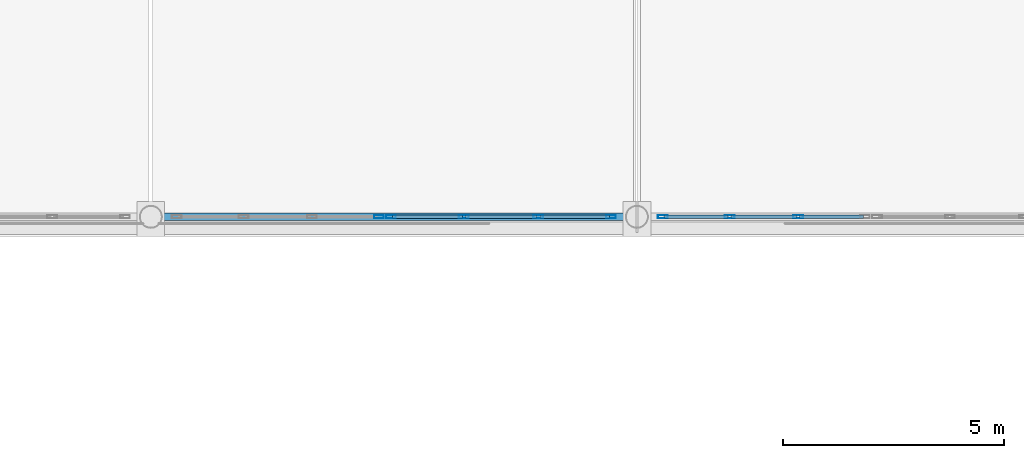
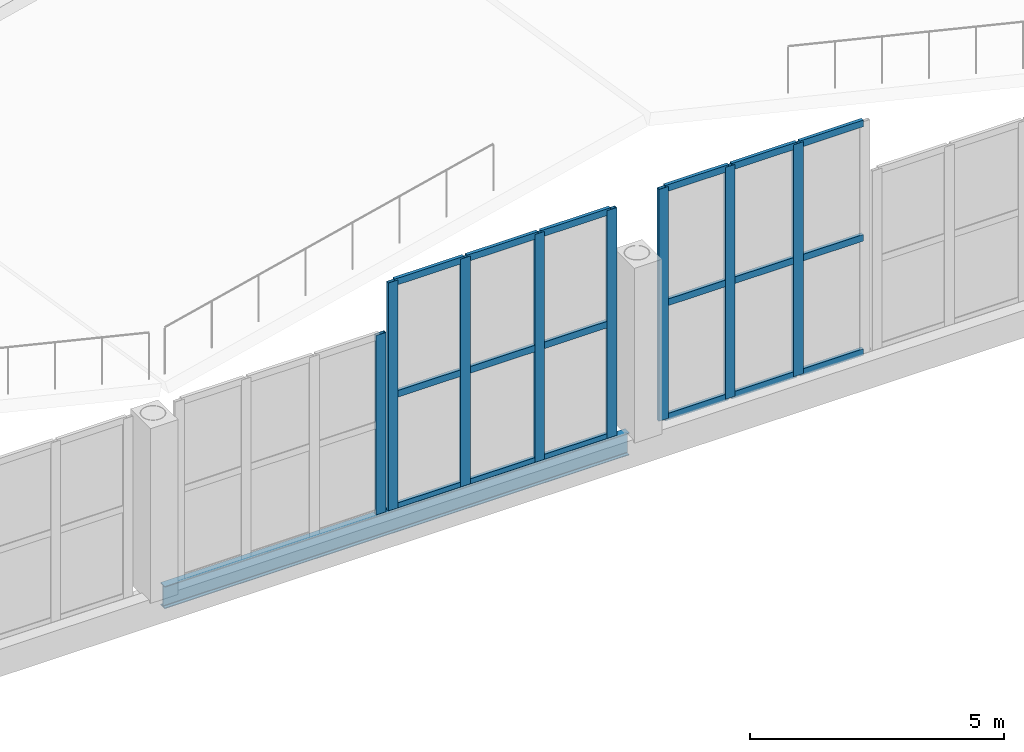
# One storey, part 15 of 120: 26 members, 1 beam, 3 elements without a shape of their own.
"""IFC4 building model written with IfcOpenShell, lengths in metres."""

from ifc_helpers import new_model, si_unit, direction, frame, origin, origin_2d, place, context, subcontext, project, spatial, hollow_rectangle, i_section, extrude, material, material_profile, profile_set, type_object, element, aggregate, save


model = new_model("IFC4")

# Units and contexts
model_context = context("Model", 3, precision=1e-05, world=origin(), true_north=direction((0.0, 1.0)))
body_context = subcontext(model_context, "Body", "Model", "MODEL_VIEW")
ifc_project = project(units=[si_unit("LENGTHUNIT", "METRE"), si_unit("AREAUNIT", "SQUARE_METRE"), si_unit("VOLUMEUNIT", "CUBIC_METRE"), si_unit("PLANEANGLEUNIT", "RADIAN"), si_unit("MASSUNIT", "GRAM", prefix="KILO")], contexts=[model_context])

# Site, building, storey
site_placement = place(None, origin())
site = spatial("IfcSite", under=ifc_project, at=site_placement, CompositionType="ELEMENT")
building_placement = place(site_placement, origin())
building = spatial("IfcBuilding", under=site, at=building_placement, Name="Caurita Quay Ferry Terminal", CompositionType="ELEMENT")
storey_placement = place(building_placement, frame((0.0, 0.0, 9.89990234375)))
storey = spatial("IfcBuildingStorey", under=building, at=storey_placement, Name="L02", CompositionType="ELEMENT", Elevation=9.89990234375)

# Beam
ifc_material_1 = material(Name="Structural steel ASTM A992 Gr. 50", Category="steel")
ifc_material_profile_1 = material_profile(ifc_material_1, i_section(OverallWidth=0.16650390625, OverallDepth=0.535888671875, WebThickness=0.01025390625, FlangeThickness=0.0166015625, FilletRadius=0.013916015625, at=origin_2d()), Name="W21X57")
ifc_profile_set_1 = profile_set([ifc_material_profile_1], Name="Structural steel ASTM A992 Gr. 50")
beam_type = type_object("IfcBeamType", Name="BM-SP-W21B", PredefinedType="SPANDREL", material=ifc_profile_set_1)
beam_placement = place(storey_placement, frame((22.219970703125, 34.60009765625, -0.267822265625), z_axis=(1.0, 0.0, 0.0), x_axis=(0.0, 1.0, 0.0)))
element("IfcBeam", 1, at=beam_placement, inside=storey, type_object=beam_type, Name="V1 Waterside Clerestory Sill Spandrel 22", PredefinedType="SPANDREL", context=body_context, shape_type="SweptSolid", body=[
    extrude(i_section(OverallWidth=0.16650390625, OverallDepth=0.535888671875, WebThickness=0.01025390625, FlangeThickness=0.0166015625, FilletRadius=0.013916015625, at=origin_2d()), origin(), (0.0, 0.0, 1.0), 10.56005859375),
])

# Curtain wall, member
ifc_material_2 = material(Name="Laminated solar-control insulated glass", Category="glass")
curtain_wall_type_1 = type_object("IfcCurtainWallType", Name="CW-SYS-01", PredefinedType="NOTDEFINED", material=ifc_material_2)
curtain_wall_1_placement = place(storey_placement, origin())
curtain_wall_1 = element("IfcCurtainWall", 2, at=curtain_wall_1_placement, inside=storey, type_object=curtain_wall_type_1, Name="Folded Roof Clerestory FB-02-S1", PredefinedType="NOTDEFINED")
ifc_material_3 = material(Name="Anodized aluminium 6063-T6", Category="aluminium")
ifc_material_profile_2 = material_profile(ifc_material_3, hollow_rectangle(XDim=0.074951171875, YDim=0.219970703125, WallThickness=0.00390625, at=origin_2d()), Name="ALU-MUL-75X220")
ifc_profile_set_2 = profile_set([ifc_material_profile_2], Name="Anodized aluminium 6063-T6")
member_type_1 = type_object("IfcMemberType", Name="CW-MUL-220", PredefinedType="MULLION", material=ifc_profile_set_2)
member_1_placement = place(storey_placement, frame((27.16259765625, 34.60009765625, 0.0), z_axis=(0.0, 0.0, 1.0), x_axis=(0.0, 1.0, 0.0)))
member_1 = element("IfcMember", 3, at=member_1_placement, type_object=member_type_1, Name="CW-CLR-009 Mullion 4", PredefinedType="MULLION", context=body_context, shape_type="SweptSolid", body=[
    extrude(hollow_rectangle(XDim=0.074951171875, YDim=0.219970703125, WallThickness=0.00390625, at=origin_2d()), origin(), (0.0, 0.0, 1.0), 4.31298828125),
])
aggregate(curtain_wall_1, [member_1])

# Curtain wall, members
curtain_wall_type_2 = type_object("IfcCurtainWallType", Name="CW-SYS-02", PredefinedType="NOTDEFINED", material=ifc_material_2)
curtain_wall_2_placement = place(storey_placement, origin())
curtain_wall_2 = element("IfcCurtainWall", 4, at=curtain_wall_2_placement, inside=storey, type_object=curtain_wall_type_2, Name="Folded Roof Clerestory FB-02-S2", PredefinedType="NOTDEFINED")
member_2_placement = place(storey_placement, frame((27.4375, 34.60009765625, 0.0), z_axis=(0.0, 0.0, 1.0), x_axis=(0.0, 1.0, 0.0)))
member_2 = element("IfcMember", 5, at=member_2_placement, type_object=member_type_1, Name="CW-CLR-010 Mullion 1", PredefinedType="MULLION", context=body_context, shape_type="SweptSolid", body=[
    extrude(hollow_rectangle(XDim=0.074951171875, YDim=0.219970703125, WallThickness=0.00390625, at=origin_2d()), origin(), (0.0, 0.0, 1.0), 5.47705078125),
])
member_3_placement = place(storey_placement, frame((29.083251953125, 34.60009765625, 0.0), z_axis=(0.0, 0.0, 1.0), x_axis=(0.0, 1.0, 0.0)))
member_3 = element("IfcMember", 6, at=member_3_placement, type_object=member_type_1, Name="CW-CLR-010 Mullion 2", PredefinedType="MULLION", context=body_context, shape_type="SweptSolid", body=[
    extrude(hollow_rectangle(XDim=0.074951171875, YDim=0.219970703125, WallThickness=0.00390625, at=origin_2d()), origin(), (0.0, 0.0, 1.0), 5.47705078125),
])
member_4_placement = place(storey_placement, frame((30.7666015625, 34.60009765625, 0.0), z_axis=(0.0, 0.0, 1.0), x_axis=(0.0, 1.0, 0.0)))
member_4 = element("IfcMember", 7, at=member_4_placement, type_object=member_type_1, Name="CW-CLR-010 Mullion 3", PredefinedType="MULLION", context=body_context, shape_type="SweptSolid", body=[
    extrude(hollow_rectangle(XDim=0.074951171875, YDim=0.219970703125, WallThickness=0.00390625, at=origin_2d()), origin(), (0.0, 0.0, 1.0), 5.47705078125),
])
member_5_placement = place(storey_placement, frame((32.41259765625, 34.60009765625, 0.0), z_axis=(0.0, 0.0, 1.0), x_axis=(0.0, 1.0, 0.0)))
member_5 = element("IfcMember", 8, at=member_5_placement, type_object=member_type_1, Name="CW-CLR-010 Mullion 4", PredefinedType="MULLION", context=body_context, shape_type="SweptSolid", body=[
    extrude(hollow_rectangle(XDim=0.074951171875, YDim=0.219970703125, WallThickness=0.00390625, at=origin_2d()), origin(), (0.0, 0.0, 1.0), 5.47705078125),
])

curtain_wall_type_3 = type_object("IfcCurtainWallType", Name="CW-SYS-03", PredefinedType="NOTDEFINED", material=ifc_material_2)
curtain_wall_3_placement = place(storey_placement, origin())
curtain_wall_3 = element("IfcCurtainWall", 9, at=curtain_wall_3_placement, inside=storey, type_object=curtain_wall_type_3, Name="Folded Roof Clerestory FB-02-S3", PredefinedType="NOTDEFINED")
member_6_placement = place(storey_placement, frame((33.58740234375, 34.60009765625, 0.0), z_axis=(0.0, 0.0, 1.0), x_axis=(0.0, 1.0, 0.0)))
member_6 = element("IfcMember", 10, at=member_6_placement, type_object=member_type_1, Name="CW-CLR-011 Mullion 1", PredefinedType="MULLION", context=body_context, shape_type="SweptSolid", body=[
    extrude(hollow_rectangle(XDim=0.074951171875, YDim=0.219970703125, WallThickness=0.00390625, at=origin_2d()), origin(), (0.0, 0.0, 1.0), 5.572998046875),
])
member_7_placement = place(storey_placement, frame((35.10009765625, 34.60009765625, 0.0), z_axis=(0.0, 0.0, 1.0), x_axis=(0.0, 1.0, 0.0)))
member_7 = element("IfcMember", 11, at=member_7_placement, type_object=member_type_1, Name="CW-CLR-011 Mullion 2", PredefinedType="MULLION", context=body_context, shape_type="SweptSolid", body=[
    extrude(hollow_rectangle(XDim=0.074951171875, YDim=0.219970703125, WallThickness=0.00390625, at=origin_2d()), origin(), (0.0, 0.0, 1.0), 5.572998046875),
])
member_8_placement = place(storey_placement, frame((36.64990234375, 34.60009765625, 0.0), z_axis=(0.0, 0.0, 1.0), x_axis=(0.0, 1.0, 0.0)))
member_8 = element("IfcMember", 12, at=member_8_placement, type_object=member_type_1, Name="CW-CLR-011 Mullion 3", PredefinedType="MULLION", context=body_context, shape_type="SweptSolid", body=[
    extrude(hollow_rectangle(XDim=0.074951171875, YDim=0.219970703125, WallThickness=0.00390625, at=origin_2d()), origin(), (0.0, 0.0, 1.0), 5.572998046875),
])

# Member
ifc_material_profile_3 = material_profile(ifc_material_3, hollow_rectangle(XDim=0.074951171875, YDim=0.159912109375, WallThickness=0.00390625, at=origin_2d()), Name="ALU-TRN-75X160")
ifc_profile_set_3 = profile_set([ifc_material_profile_3], Name="Anodized aluminium 6063-T6")
member_type_2 = type_object("IfcMemberType", Name="CW-TRN-160", PredefinedType="USERDEFINED", material=ifc_profile_set_3)
member_9_placement = place(storey_placement, frame((27.472900390625, 34.60009765625, 0.03759765625), z_axis=(1.0, 0.0, 0.0), x_axis=(0.0, 1.0, 0.0)))
member_9 = element("IfcMember", 13, at=member_9_placement, type_object=member_type_2, Name="CW-CLR-010 Transom 1", ObjectType="TRANSOM", PredefinedType="USERDEFINED", context=body_context, shape_type="SweptSolid", body=[
    extrude(hollow_rectangle(XDim=0.074951171875, YDim=0.159912109375, WallThickness=0.00390625, at=origin_2d()), origin(), (0.0, 0.0, 1.0), 1.574951171875),
])

member_10_placement = place(storey_placement, frame((27.472900390625, 34.60009765625, 2.738525390625), z_axis=(1.0, 0.0, 0.0), x_axis=(0.0, 1.0, 0.0)))
member_10 = element("IfcMember", 14, at=member_10_placement, type_object=member_type_2, Name="CW-CLR-010 Transom 2", ObjectType="TRANSOM", PredefinedType="USERDEFINED", context=body_context, shape_type="SweptSolid", body=[
    extrude(hollow_rectangle(XDim=0.074951171875, YDim=0.159912109375, WallThickness=0.00390625, at=origin_2d()), origin(), (0.0, 0.0, 1.0), 1.574951171875),
])

member_11_placement = place(storey_placement, frame((27.472900390625, 34.60009765625, 5.439697265625), z_axis=(1.0, 0.0, 0.0), x_axis=(0.0, 1.0, 0.0)))
member_11 = element("IfcMember", 15, at=member_11_placement, type_object=member_type_2, Name="CW-CLR-010 Transom 3", ObjectType="TRANSOM", PredefinedType="USERDEFINED", context=body_context, shape_type="SweptSolid", body=[
    extrude(hollow_rectangle(XDim=0.074951171875, YDim=0.159912109375, WallThickness=0.00390625, at=origin_2d()), origin(), (0.0, 0.0, 1.0), 1.574951171875),
])

member_12_placement = place(storey_placement, frame((29.118896484375, 34.60009765625, 0.03759765625), z_axis=(1.0, 0.0, 0.0), x_axis=(0.0, 1.0, 0.0)))
member_12 = element("IfcMember", 16, at=member_12_placement, type_object=member_type_2, Name="CW-CLR-010 Transom 4", ObjectType="TRANSOM", PredefinedType="USERDEFINED", context=body_context, shape_type="SweptSolid", body=[
    extrude(hollow_rectangle(XDim=0.074951171875, YDim=0.159912109375, WallThickness=0.00390625, at=origin_2d()), origin(), (0.0, 0.0, 1.0), 1.6123046875),
])

member_13_placement = place(storey_placement, frame((29.118896484375, 34.60009765625, 2.738525390625), z_axis=(1.0, 0.0, 0.0), x_axis=(0.0, 1.0, 0.0)))
member_13 = element("IfcMember", 17, at=member_13_placement, type_object=member_type_2, Name="CW-CLR-010 Transom 5", ObjectType="TRANSOM", PredefinedType="USERDEFINED", context=body_context, shape_type="SweptSolid", body=[
    extrude(hollow_rectangle(XDim=0.074951171875, YDim=0.159912109375, WallThickness=0.00390625, at=origin_2d()), origin(), (0.0, 0.0, 1.0), 1.6123046875),
])

member_14_placement = place(storey_placement, frame((29.118896484375, 34.60009765625, 5.439697265625), z_axis=(1.0, 0.0, 0.0), x_axis=(0.0, 1.0, 0.0)))
member_14 = element("IfcMember", 18, at=member_14_placement, type_object=member_type_2, Name="CW-CLR-010 Transom 6", ObjectType="TRANSOM", PredefinedType="USERDEFINED", context=body_context, shape_type="SweptSolid", body=[
    extrude(hollow_rectangle(XDim=0.074951171875, YDim=0.159912109375, WallThickness=0.00390625, at=origin_2d()), origin(), (0.0, 0.0, 1.0), 1.6123046875),
])

member_15_placement = place(storey_placement, frame((30.80224609375, 34.60009765625, 0.03759765625), z_axis=(1.0, 0.0, 0.0), x_axis=(0.0, 1.0, 0.0)))
member_15 = element("IfcMember", 19, at=member_15_placement, type_object=member_type_2, Name="CW-CLR-010 Transom 7", ObjectType="TRANSOM", PredefinedType="USERDEFINED", context=body_context, shape_type="SweptSolid", body=[
    extrude(hollow_rectangle(XDim=0.074951171875, YDim=0.159912109375, WallThickness=0.00390625, at=origin_2d()), origin(), (0.0, 0.0, 1.0), 1.57470703125),
])

member_16_placement = place(storey_placement, frame((30.80224609375, 34.60009765625, 2.738525390625), z_axis=(1.0, 0.0, 0.0), x_axis=(0.0, 1.0, 0.0)))
member_16 = element("IfcMember", 20, at=member_16_placement, type_object=member_type_2, Name="CW-CLR-010 Transom 8", ObjectType="TRANSOM", PredefinedType="USERDEFINED", context=body_context, shape_type="SweptSolid", body=[
    extrude(hollow_rectangle(XDim=0.074951171875, YDim=0.159912109375, WallThickness=0.00390625, at=origin_2d()), origin(), (0.0, 0.0, 1.0), 1.57470703125),
])

member_17_placement = place(storey_placement, frame((30.80224609375, 34.60009765625, 5.439697265625), z_axis=(1.0, 0.0, 0.0), x_axis=(0.0, 1.0, 0.0)))
member_17 = element("IfcMember", 21, at=member_17_placement, type_object=member_type_2, Name="CW-CLR-010 Transom 9", ObjectType="TRANSOM", PredefinedType="USERDEFINED", context=body_context, shape_type="SweptSolid", body=[
    extrude(hollow_rectangle(XDim=0.074951171875, YDim=0.159912109375, WallThickness=0.00390625, at=origin_2d()), origin(), (0.0, 0.0, 1.0), 1.57470703125),
])

aggregate(curtain_wall_2, [member_2, member_3, member_4, member_5, member_9, member_10, member_11, member_12, member_13, member_14, member_15, member_16, member_17])

member_18_placement = place(storey_placement, frame((33.623046875, 34.60009765625, 0.03759765625), z_axis=(1.0, 0.0, 0.0), x_axis=(0.0, 1.0, 0.0)))
member_18 = element("IfcMember", 22, at=member_18_placement, type_object=member_type_2, Name="CW-CLR-011 Transom 1", ObjectType="TRANSOM", PredefinedType="USERDEFINED", context=body_context, shape_type="SweptSolid", body=[
    extrude(hollow_rectangle(XDim=0.074951171875, YDim=0.159912109375, WallThickness=0.00390625, at=origin_2d()), origin(), (0.0, 0.0, 1.0), 1.44140625),
])

member_19_placement = place(storey_placement, frame((33.623046875, 34.60009765625, 2.78662109375), z_axis=(1.0, 0.0, 0.0), x_axis=(0.0, 1.0, 0.0)))
member_19 = element("IfcMember", 23, at=member_19_placement, type_object=member_type_2, Name="CW-CLR-011 Transom 2", ObjectType="TRANSOM", PredefinedType="USERDEFINED", context=body_context, shape_type="SweptSolid", body=[
    extrude(hollow_rectangle(XDim=0.074951171875, YDim=0.159912109375, WallThickness=0.00390625, at=origin_2d()), origin(), (0.0, 0.0, 1.0), 1.44140625),
])

member_20_placement = place(storey_placement, frame((33.623046875, 34.60009765625, 5.53564453125), z_axis=(1.0, 0.0, 0.0), x_axis=(0.0, 1.0, 0.0)))
member_20 = element("IfcMember", 24, at=member_20_placement, type_object=member_type_2, Name="CW-CLR-011 Transom 3", ObjectType="TRANSOM", PredefinedType="USERDEFINED", context=body_context, shape_type="SweptSolid", body=[
    extrude(hollow_rectangle(XDim=0.074951171875, YDim=0.159912109375, WallThickness=0.00390625, at=origin_2d()), origin(), (0.0, 0.0, 1.0), 1.44140625),
])

member_21_placement = place(storey_placement, frame((35.135498046875, 34.60009765625, 0.03759765625), z_axis=(1.0, 0.0, 0.0), x_axis=(0.0, 1.0, 0.0)))
member_21 = element("IfcMember", 25, at=member_21_placement, type_object=member_type_2, Name="CW-CLR-011 Transom 4", ObjectType="TRANSOM", PredefinedType="USERDEFINED", context=body_context, shape_type="SweptSolid", body=[
    extrude(hollow_rectangle(XDim=0.074951171875, YDim=0.159912109375, WallThickness=0.00390625, at=origin_2d()), origin(), (0.0, 0.0, 1.0), 1.47900390625),
])

member_22_placement = place(storey_placement, frame((35.135498046875, 34.60009765625, 2.78662109375), z_axis=(1.0, 0.0, 0.0), x_axis=(0.0, 1.0, 0.0)))
member_22 = element("IfcMember", 26, at=member_22_placement, type_object=member_type_2, Name="CW-CLR-011 Transom 5", ObjectType="TRANSOM", PredefinedType="USERDEFINED", context=body_context, shape_type="SweptSolid", body=[
    extrude(hollow_rectangle(XDim=0.074951171875, YDim=0.159912109375, WallThickness=0.00390625, at=origin_2d()), origin(), (0.0, 0.0, 1.0), 1.47900390625),
])

member_23_placement = place(storey_placement, frame((35.135498046875, 34.60009765625, 5.53564453125), z_axis=(1.0, 0.0, 0.0), x_axis=(0.0, 1.0, 0.0)))
member_23 = element("IfcMember", 27, at=member_23_placement, type_object=member_type_2, Name="CW-CLR-011 Transom 6", ObjectType="TRANSOM", PredefinedType="USERDEFINED", context=body_context, shape_type="SweptSolid", body=[
    extrude(hollow_rectangle(XDim=0.074951171875, YDim=0.159912109375, WallThickness=0.00390625, at=origin_2d()), origin(), (0.0, 0.0, 1.0), 1.47900390625),
])

member_24_placement = place(storey_placement, frame((36.685546875, 34.60009765625, 0.03759765625), z_axis=(1.0, 0.0, 0.0), x_axis=(0.0, 1.0, 0.0)))
member_24 = element("IfcMember", 28, at=member_24_placement, type_object=member_type_2, Name="CW-CLR-011 Transom 7", ObjectType="TRANSOM", PredefinedType="USERDEFINED", context=body_context, shape_type="SweptSolid", body=[
    extrude(hollow_rectangle(XDim=0.074951171875, YDim=0.159912109375, WallThickness=0.00390625, at=origin_2d()), origin(), (0.0, 0.0, 1.0), 1.44140625),
])

member_25_placement = place(storey_placement, frame((36.685546875, 34.60009765625, 2.78662109375), z_axis=(1.0, 0.0, 0.0), x_axis=(0.0, 1.0, 0.0)))
member_25 = element("IfcMember", 29, at=member_25_placement, type_object=member_type_2, Name="CW-CLR-011 Transom 8", ObjectType="TRANSOM", PredefinedType="USERDEFINED", context=body_context, shape_type="SweptSolid", body=[
    extrude(hollow_rectangle(XDim=0.074951171875, YDim=0.159912109375, WallThickness=0.00390625, at=origin_2d()), origin(), (0.0, 0.0, 1.0), 1.44140625),
])

member_26_placement = place(storey_placement, frame((36.685546875, 34.60009765625, 5.53564453125), z_axis=(1.0, 0.0, 0.0), x_axis=(0.0, 1.0, 0.0)))
member_26 = element("IfcMember", 30, at=member_26_placement, type_object=member_type_2, Name="CW-CLR-011 Transom 9", ObjectType="TRANSOM", PredefinedType="USERDEFINED", context=body_context, shape_type="SweptSolid", body=[
    extrude(hollow_rectangle(XDim=0.074951171875, YDim=0.159912109375, WallThickness=0.00390625, at=origin_2d()), origin(), (0.0, 0.0, 1.0), 1.44140625),
])

aggregate(curtain_wall_3, [member_6, member_7, member_8, member_18, member_19, member_20, member_21, member_22, member_23, member_24, member_25, member_26])

save(model, "model.ifc")
